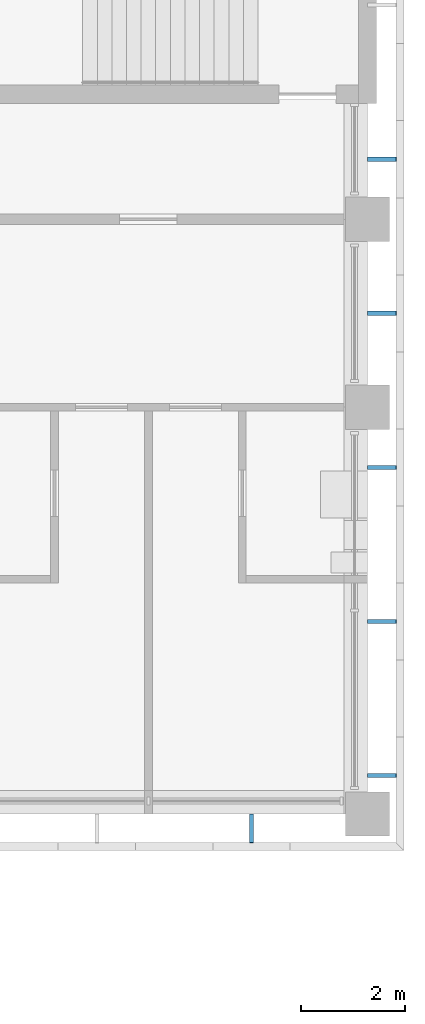
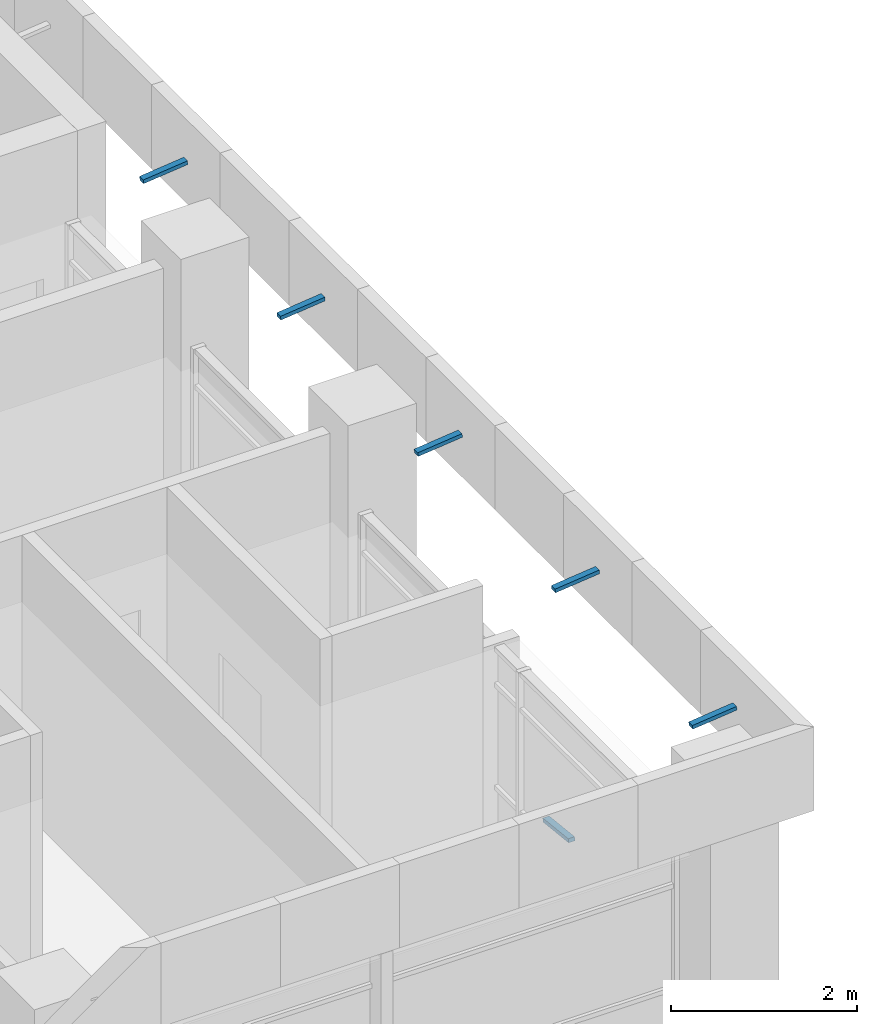
# One storey, part 59 of 74: 6 discrete accessories.
"""IFC4 building model written with IfcOpenShell, lengths in metres."""

from ifc_helpers import new_model, si_unit, direction, frame, origin, origin_2d, place, context, subcontext, project, spatial, rectangle, extrude, material, material_profile, profile_set, type_object, element, save


model = new_model("IFC4")

# Units and contexts
model_context = context("Model", 3, precision=1e-05, world=origin(), true_north=direction((0.0, 1.0)))
body_context = subcontext(model_context, "Body", "Model", "MODEL_VIEW")
ifc_project = project(units=[si_unit("LENGTHUNIT", "METRE"), si_unit("AREAUNIT", "SQUARE_METRE"), si_unit("VOLUMEUNIT", "CUBIC_METRE"), si_unit("PLANEANGLEUNIT", "RADIAN"), si_unit("MASSUNIT", "GRAM", prefix="KILO")], contexts=[model_context])

# Site, building, storey
site_placement = place(None, origin())
site = spatial("IfcSite", under=ifc_project, at=site_placement, CompositionType="ELEMENT")
building_placement = place(site_placement, origin())
building = spatial("IfcBuilding", under=site, at=building_placement, Name="Bougainvillea Quay General Hospital", CompositionType="ELEMENT")
storey_placement = place(building_placement, frame((0.0, 0.0, 21.0)))
storey = spatial("IfcBuildingStorey", under=building, at=storey_placement, Name="L04", CompositionType="ELEMENT", Elevation=21.0)

# Discrete accessories
ifc_material = material(Name="Stainless steel bracket, grade 316", Category="steel")
ifc_material_profile = material_profile(ifc_material, rectangle(XDim=0.080078125, YDim=0.050048828125, at=origin_2d()))
ifc_profile_set = profile_set([ifc_material_profile], Name="Stainless steel bracket, grade 316")
discrete_accessory_type = type_object("IfcDiscreteAccessoryType", Name="Stainless steel stand-off bracket 80x50", PredefinedType="BRACKET", material=ifc_profile_set)
discrete_accessory_placement = place(storey_placement, frame((182.576416015625, 140.39990234375, 3.840087890625), z_axis=(0.0, -0.994134149227, 0.108154026004), x_axis=(1.0, 0.0, 0.0)))
element("IfcDiscreteAccessory", 1, at=discrete_accessory_placement, inside=storey, type_object=discrete_accessory_type, Name="Fascia bracket e0 221", PredefinedType="BRACKET", context=body_context, shape_type="SweptSolid", body=[
    extrude(rectangle(XDim=0.080078125, YDim=0.050048828125, at=origin_2d()), origin(), (0.0, 0.0, 1.0), 0.552978515625),
])
for number, where, z_axis, x_axis, name in (
    (2, (184.800048828125, 141.138427734375, 3.840087890625), (0.994139309541, 0.0, 0.108106582706), (0.0, 1.0, 0.0), "Fascia bracket e0 223"),
    (3, (184.800048828125, 144.09228515625, 3.840087890625), (0.994139309541, 0.0, 0.108106582706), (0.0, 1.0, 0.0), "Fascia bracket e0 225"),
    (4, (184.800048828125, 147.046142578125, 3.840087890625), (0.994139309541, 0.0, 0.108106582706), (0.0, 1.0, 0.0), "Fascia bracket e0 227"),
    (5, (184.800048828125, 150.0, 3.840087890625), (0.994139309541, 0.0, 0.108106582706), (0.0, 1.0, 0.0), "Fascia bracket e0 229"),
    (6, (184.800048828125, 152.953857421875, 3.840087890625), (0.994139309541, 0.0, 0.108106582706), (0.0, 1.0, 0.0), "Fascia bracket e0 231"),
):
    element("IfcDiscreteAccessory", number, at=place(storey_placement, frame(where, z_axis=z_axis, x_axis=x_axis)), inside=storey, type_object=discrete_accessory_type, Name=name, PredefinedType="BRACKET", context=body_context, shape_type="SweptSolid", body=[
        extrude(rectangle(XDim=0.080078125, YDim=0.050048828125, at=origin_2d()), origin(), (0.0, 0.0, 1.0), 0.55322265625),
    ])

save(model, "model.ifc")
